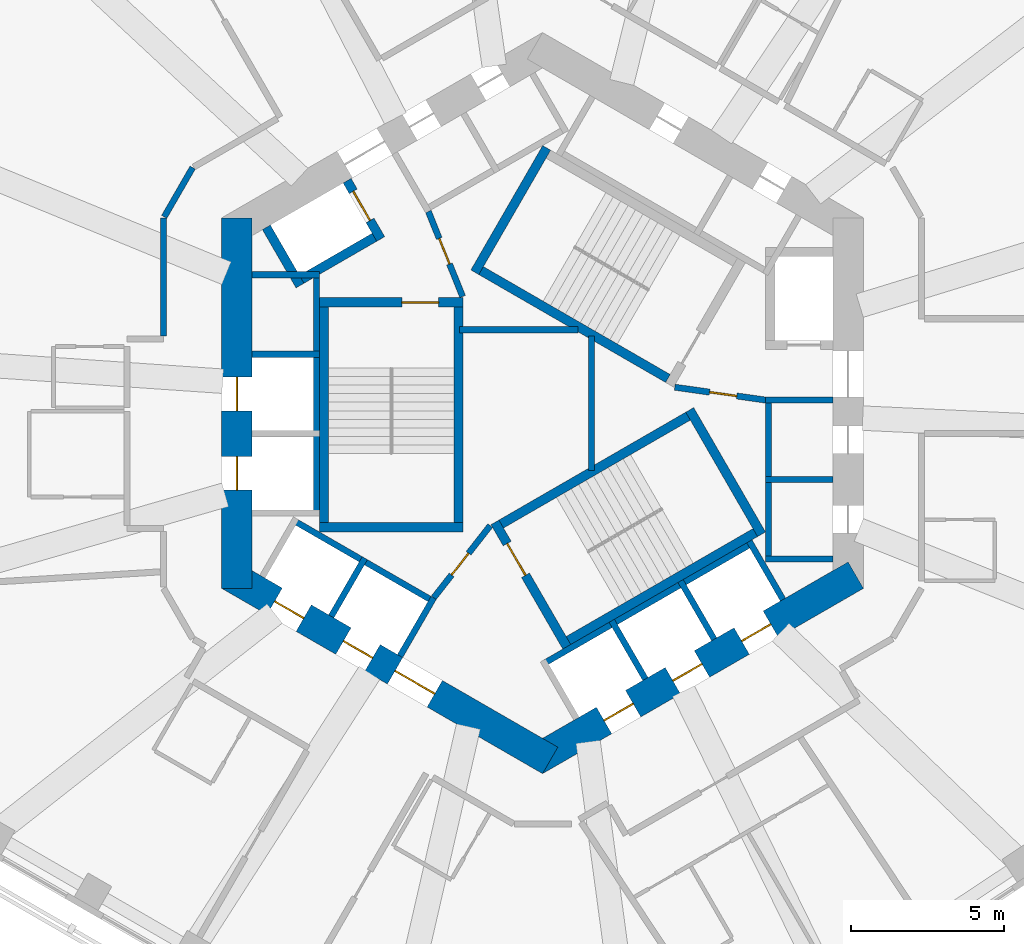
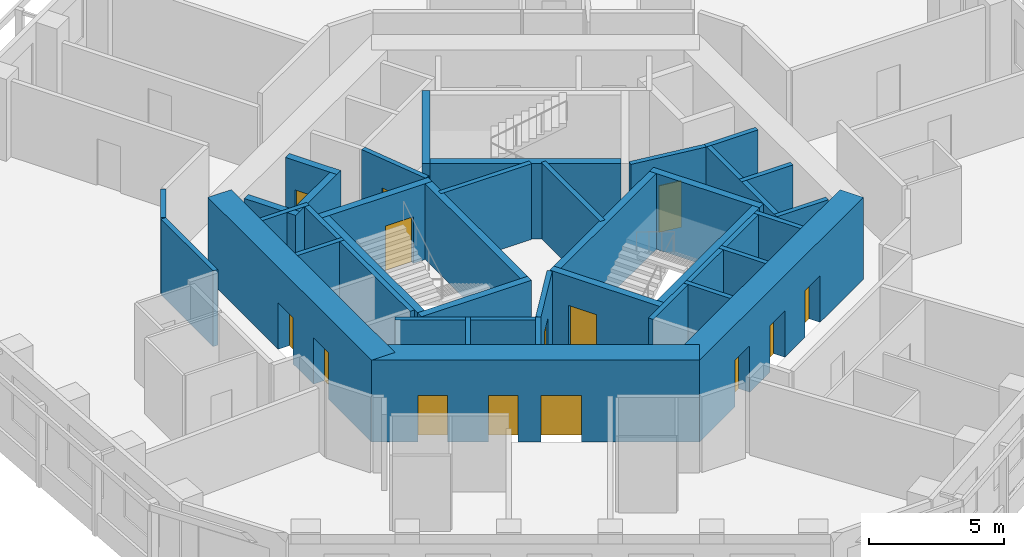
# One storey, part 5 of 11: 37 walls, 14 doors, 14 openings.
"""IFC4 building model written with IfcOpenShell, lengths in metres."""

from ifc_helpers import new_model, si_unit, direction, frame, frame_2d, origin, place, context, subcontext, project, spatial, rectangle, extrude, material, layer, layer_set, type_object, element, fill, save


model = new_model("IFC4")

# Units and contexts
model_context = context("Model", 3, precision=1e-05, world=origin(), true_north=direction((0.0, 1.0)))
body_context = subcontext(model_context, "Body", "Model", "MODEL_VIEW")
ifc_project = project(units=[si_unit("LENGTHUNIT", "METRE"), si_unit("AREAUNIT", "SQUARE_METRE"), si_unit("VOLUMEUNIT", "CUBIC_METRE"), si_unit("PLANEANGLEUNIT", "RADIAN"), si_unit("MASSUNIT", "GRAM", prefix="KILO")], contexts=[model_context])

# Site, building, storey
site_placement = place(None, origin())
site = spatial("IfcSite", under=ifc_project, at=site_placement, CompositionType="ELEMENT")
building_placement = place(site_placement, origin())
building = spatial("IfcBuilding", under=site, at=building_placement, Name="Vanh Sen Convention Tower", CompositionType="ELEMENT")
storey_placement = place(building_placement, frame((0.0, 0.0, 198.39990234375)))
storey = spatial("IfcBuildingStorey", under=building, at=storey_placement, Name="L49", CompositionType="ELEMENT", Elevation=198.39990234375)

# Wall, openings, doors
ifc_material_1 = material(Name="Concrete C80/95", Category="concrete")
ifc_layer_1 = layer(ifc_material_1, 1.0)
ifc_layer_set_1 = layer_set([ifc_layer_1], Name="Concrete C80/95")
wall_type_1 = type_object("IfcWallType", Name="Core outer wall 1000 C80/95", PredefinedType="SHEAR", material=ifc_layer_set_1)
wall_1_placement = place(storey_placement, frame((-10.0, 6.062255859375, 0.0), z_axis=(0.0, 0.0, 1.0), x_axis=(0.0, -1.0, 0.0)))
wall_1 = element("IfcWall", 1, at=wall_1_placement, inside=storey, type_object=wall_type_1, Name="Core wall face W L49", PredefinedType="SHEAR", context=body_context, shape_type="SweptSolid", body=[
    extrude(rectangle(XDim=12.12451171875, YDim=1.0, at=frame_2d((6.062255859375, 0.0))), origin(), (0.0, 0.0, 1.0), 3.7001953125),
])
opening_1_placement = place(wall_1_placement, frame((5.212158203125, 0.0, 0.0)))
opening_1 = element("IfcOpeningElement", 2, at=opening_1_placement, cuts=wall_1, Name="Opening LD-HR1", PredefinedType="OPENING", context=body_context, shape_type="SweptSolid", body=[
    extrude(rectangle(XDim=1.10009765625, YDim=2.10009765625, at=frame_2d((0.550048828125, 1.050048828125))), frame((0.0, 0.510009765625, 0.0), z_axis=(0.0, -1.0, 0.0), x_axis=(1.0, 0.0, 0.0)), (0.0, 0.0, 1.0), 1.02001953125),
])
opening_2_placement = place(wall_1_placement, frame((7.812255859375, 0.0, 0.0)))
opening_2 = element("IfcOpeningElement", 3, at=opening_2_placement, cuts=wall_1, Name="Opening LD-HR2", PredefinedType="OPENING", context=body_context, shape_type="SweptSolid", body=[
    extrude(rectangle(XDim=1.10009765625, YDim=2.10009765625, at=frame_2d((0.550048828125, 1.050048828125))), frame((0.0, 0.510009765625, 0.0), z_axis=(0.0, -1.0, 0.0), x_axis=(1.0, 0.0, 0.0)), (0.0, 0.0, 1.0), 1.02001953125),
])
ifc_material_2 = material(Name="Stainless steel", Category="steel")
door_type_1 = type_object("IfcDoorType", Name="Lift landing door 1100", OperationType="DOUBLE_DOOR_SLIDING", PredefinedType="DOOR", material=ifc_material_2)
door_1_placement = place(opening_1_placement, origin())
door_1 = element("IfcDoor", 4, at=door_1_placement, inside=storey, type_object=door_type_1, Name="Lift HR1 landing door LD-HR1", OperationType="DOUBLE_DOOR_SLIDING", OverallHeight=2.10009765625, OverallWidth=1.10009765625, PredefinedType="DOOR", context=body_context, shape_type="SweptSolid", body=[
    extrude(rectangle(XDim=1.10009765625, YDim=2.10009765625, at=frame_2d((0.550048828125, 1.050048828125))), frame((0.0, 0.02490234375, 0.0), z_axis=(0.0, -1.0, 0.0), x_axis=(1.0, 0.0, 0.0)), (0.0, 0.0, 1.0), 0.050048828125),
])
fill(opening_1, door_1)
door_2_placement = place(opening_2_placement, origin())
door_2 = element("IfcDoor", 5, at=door_2_placement, inside=storey, type_object=door_type_1, Name="Lift HR2 landing door LD-HR2", OperationType="DOUBLE_DOOR_SLIDING", OverallHeight=2.10009765625, OverallWidth=1.10009765625, PredefinedType="DOOR", context=body_context, shape_type="SweptSolid", body=[
    extrude(rectangle(XDim=1.10009765625, YDim=2.10009765625, at=frame_2d((0.550048828125, 1.050048828125))), frame((0.0, 0.02490234375, 0.0), z_axis=(0.0, -1.0, 0.0), x_axis=(1.0, 0.0, 0.0)), (0.0, 0.0, 1.0), 0.050048828125),
])
fill(opening_2, door_2)

wall_2_placement = place(storey_placement, frame((-10.25, -5.629150390625, 0.0), z_axis=(0.0, 0.0, 1.0), x_axis=(0.866022616891, -0.50000482701, 0.0)))
wall_2 = element("IfcWall", 6, at=wall_2_placement, inside=storey, type_object=wall_type_1, Name="Core wall face SW L49", PredefinedType="SHEAR", context=body_context, shape_type="SweptSolid", body=[
    extrude(rectangle(XDim=12.12451171875, YDim=1.0, at=frame_2d((6.062255859375, 0.0))), origin(), (0.0, 0.0, 1.0), 3.7001953125),
])
opening_3_placement = place(wall_2_placement, frame((6.26220703125, 0.0, 0.0)))
opening_3 = element("IfcOpeningElement", 7, at=opening_3_placement, cuts=wall_2, Name="Opening D49003", PredefinedType="OPENING", context=body_context, shape_type="SweptSolid", body=[
    extrude(rectangle(XDim=1.5, YDim=2.10009765625, at=frame_2d((0.75, 1.050048828125))), frame((0.0, 0.510009765625, 0.0), z_axis=(0.0, -1.0, 0.0), x_axis=(1.0, 0.0, 0.0)), (0.0, 0.0, 1.0), 1.02001953125),
])
opening_4_placement = place(wall_2_placement, frame((1.712158203125, 0.0, 0.0)))
opening_4 = element("IfcOpeningElement", 8, at=opening_4_placement, cuts=wall_2, Name="Opening LD-HR3", PredefinedType="OPENING", context=body_context, shape_type="SweptSolid", body=[
    extrude(rectangle(XDim=1.10009765625, YDim=2.10009765625, at=frame_2d((0.550048828125, 1.050048828125))), frame((0.0, 0.510009765625, 0.0), z_axis=(0.0, -1.0, 0.0), x_axis=(1.0, 0.0, 0.0)), (0.0, 0.0, 1.0), 1.02001953125),
])
opening_5_placement = place(wall_2_placement, frame((4.312255859375, 0.0, 0.0)))
opening_5 = element("IfcOpeningElement", 9, at=opening_5_placement, cuts=wall_2, Name="Opening LD-HR4", PredefinedType="OPENING", context=body_context, shape_type="SweptSolid", body=[
    extrude(rectangle(XDim=1.10009765625, YDim=2.10009765625, at=frame_2d((0.550048828125, 1.050048828125))), frame((0.0, 0.510009765625, 0.0), z_axis=(0.0, -1.0, 0.0), x_axis=(1.0, 0.0, 0.0)), (0.0, 0.0, 1.0), 1.02001953125),
])
door_3_placement = place(opening_4_placement, origin())
door_3 = element("IfcDoor", 10, at=door_3_placement, inside=storey, type_object=door_type_1, Name="Lift HR3 landing door LD-HR3", OperationType="DOUBLE_DOOR_SLIDING", OverallHeight=2.10009765625, OverallWidth=1.10009765625, PredefinedType="DOOR", context=body_context, shape_type="SweptSolid", body=[
    extrude(rectangle(XDim=1.10009765625, YDim=2.10009765625, at=frame_2d((0.550048828125, 1.050048828125))), frame((0.0, 0.02490234375, 0.0), z_axis=(0.0, -1.0, 0.0), x_axis=(1.0, 0.0, 0.0)), (0.0, 0.0, 1.0), 0.050048828125),
])
fill(opening_4, door_3)
door_4_placement = place(opening_5_placement, origin())
door_4 = element("IfcDoor", 11, at=door_4_placement, inside=storey, type_object=door_type_1, Name="Lift HR4 landing door LD-HR4", OperationType="DOUBLE_DOOR_SLIDING", OverallHeight=2.10009765625, OverallWidth=1.10009765625, PredefinedType="DOOR", context=body_context, shape_type="SweptSolid", body=[
    extrude(rectangle(XDim=1.10009765625, YDim=2.10009765625, at=frame_2d((0.550048828125, 1.050048828125))), frame((0.0, 0.02490234375, 0.0), z_axis=(0.0, -1.0, 0.0), x_axis=(1.0, 0.0, 0.0)), (0.0, 0.0, 1.0), 0.050048828125),
])
fill(opening_5, door_4)
ifc_material_3 = material(Name="Steel S355", Category="steel")
door_type_2 = type_object("IfcDoorType", Name="Stair lobby door 1500", OperationType="DOUBLE_DOOR_SINGLE_SWING", PredefinedType="DOOR", material=ifc_material_3)
door_5_placement = place(opening_3_placement, origin())
door_5 = element("IfcDoor", 12, at=door_5_placement, inside=storey, type_object=door_type_2, Name="Stair lobby door D49003", OperationType="DOUBLE_DOOR_SINGLE_SWING", OverallHeight=2.10009765625, OverallWidth=1.5, PredefinedType="DOOR", context=body_context, shape_type="SweptSolid", body=[
    extrude(rectangle(XDim=1.5, YDim=2.10009765625, at=frame_2d((0.75, 1.050048828125))), frame((0.0, 0.02490234375, 0.0), z_axis=(0.0, -1.0, 0.0), x_axis=(1.0, 0.0, 0.0)), (0.0, 0.0, 1.0), 0.050048828125),
])
fill(opening_3, door_5)

wall_3_placement = place(storey_placement, frame((-0.25, -11.69140625, 0.0), z_axis=(0.0, 0.0, 1.0), x_axis=(0.866022616891, 0.50000482701, 0.0)))
wall_3 = element("IfcWall", 13, at=wall_3_placement, inside=storey, type_object=wall_type_1, Name="Core wall face SE L49", PredefinedType="SHEAR", context=body_context, shape_type="SweptSolid", body=[
    extrude(rectangle(XDim=12.12451171875, YDim=1.0, at=frame_2d((6.062255859375, 0.0))), origin(), (0.0, 0.0, 1.0), 3.7001953125),
])
opening_6_placement = place(wall_3_placement, frame((2.6123046875, 0.0, 0.0)))
opening_6 = element("IfcOpeningElement", 14, at=opening_6_placement, cuts=wall_3, Name="Opening LD-HR5", PredefinedType="OPENING", context=body_context, shape_type="SweptSolid", body=[
    extrude(rectangle(XDim=1.10009765625, YDim=2.10009765625, at=frame_2d((0.550048828125, 1.050048828125))), frame((0.0, 0.510009765625, 0.0), z_axis=(0.0, -1.0, 0.0), x_axis=(1.0, 0.0, 0.0)), (0.0, 0.0, 1.0), 1.02001953125),
])
opening_7_placement = place(wall_3_placement, frame((5.212158203125, 0.0, 0.0)))
opening_7 = element("IfcOpeningElement", 15, at=opening_7_placement, cuts=wall_3, Name="Opening LD-HR6", PredefinedType="OPENING", context=body_context, shape_type="SweptSolid", body=[
    extrude(rectangle(XDim=1.10009765625, YDim=2.10009765625, at=frame_2d((0.550048828125, 1.050048828125))), frame((0.0, 0.510009765625, 0.0), z_axis=(0.0, -1.0, 0.0), x_axis=(1.0, 0.0, 0.0)), (0.0, 0.0, 1.0), 1.02001953125),
])
opening_8_placement = place(wall_3_placement, frame((7.812255859375, 0.0, 0.0)))
opening_8 = element("IfcOpeningElement", 16, at=opening_8_placement, cuts=wall_3, Name="Opening LD-SV1", PredefinedType="OPENING", context=body_context, shape_type="SweptSolid", body=[
    extrude(rectangle(XDim=1.10009765625, YDim=2.10009765625, at=frame_2d((0.550048828125, 1.050048828125))), frame((0.0, 0.510009765625, 0.0), z_axis=(0.0, -1.0, 0.0), x_axis=(1.0, 0.0, 0.0)), (0.0, 0.0, 1.0), 1.02001953125),
])
door_6_placement = place(opening_6_placement, origin())
door_6 = element("IfcDoor", 17, at=door_6_placement, inside=storey, type_object=door_type_1, Name="Lift HR5 landing door LD-HR5", OperationType="DOUBLE_DOOR_SLIDING", OverallHeight=2.10009765625, OverallWidth=1.10009765625, PredefinedType="DOOR", context=body_context, shape_type="SweptSolid", body=[
    extrude(rectangle(XDim=1.10009765625, YDim=2.10009765625, at=frame_2d((0.550048828125, 1.050048828125))), frame((0.0, 0.02490234375, 0.0), z_axis=(0.0, -1.0, 0.0), x_axis=(1.0, 0.0, 0.0)), (0.0, 0.0, 1.0), 0.050048828125),
])
fill(opening_6, door_6)
door_7_placement = place(opening_7_placement, origin())
door_7 = element("IfcDoor", 18, at=door_7_placement, inside=storey, type_object=door_type_1, Name="Lift HR6 landing door LD-HR6", OperationType="DOUBLE_DOOR_SLIDING", OverallHeight=2.10009765625, OverallWidth=1.10009765625, PredefinedType="DOOR", context=body_context, shape_type="SweptSolid", body=[
    extrude(rectangle(XDim=1.10009765625, YDim=2.10009765625, at=frame_2d((0.550048828125, 1.050048828125))), frame((0.0, 0.02490234375, 0.0), z_axis=(0.0, -1.0, 0.0), x_axis=(1.0, 0.0, 0.0)), (0.0, 0.0, 1.0), 0.050048828125),
])
fill(opening_7, door_7)
door_8_placement = place(opening_8_placement, origin())
door_8 = element("IfcDoor", 19, at=door_8_placement, inside=storey, type_object=door_type_1, Name="Lift SV1 landing door LD-SV1", OperationType="DOUBLE_DOOR_SLIDING", OverallHeight=2.10009765625, OverallWidth=1.10009765625, PredefinedType="DOOR", context=body_context, shape_type="SweptSolid", body=[
    extrude(rectangle(XDim=1.10009765625, YDim=2.10009765625, at=frame_2d((0.550048828125, 1.050048828125))), frame((0.0, 0.02490234375, 0.0), z_axis=(0.0, -1.0, 0.0), x_axis=(1.0, 0.0, 0.0)), (0.0, 0.0, 1.0), 0.050048828125),
])
fill(opening_8, door_8)

# Walls
ifc_material_4 = material(Name="Masonry blockwork", Category="masonry")
ifc_layer_2 = layer(ifc_material_4, 0.199951171875)
ifc_layer_set_2 = layer_set([ifc_layer_2], Name="Masonry blockwork")
wall_type_2 = type_object("IfcWallType", Name="Core partition 200", PredefinedType="PARTITIONING", material=ifc_layer_set_2)
wall_4_placement = place(storey_placement, frame((-2.719970703125, 2.39990234375, 0.0), z_axis=(0.0, 0.0, 1.0), x_axis=(1.0, 0.0, 0.0)))
element("IfcWall", 20, at=wall_4_placement, inside=storey, type_object=wall_type_2, Name="Core partition L49", PredefinedType="PARTITIONING", context=body_context, shape_type="SweptSolid", body=[
    extrude(rectangle(XDim=3.883056640625, YDim=0.199951171875, at=frame_2d((1.94140625, 0.0))), origin(), (0.0, 0.0, 1.0), 3.420166015625),
])
wall_5_placement = place(storey_placement, frame((1.60009765625, -2.198486328125, 0.0), z_axis=(0.0, 0.0, 1.0), x_axis=(0.0, 1.0, 0.0)))
element("IfcWall", 21, at=wall_5_placement, inside=storey, type_object=wall_type_2, Name="Core partition L49", PredefinedType="PARTITIONING", context=body_context, shape_type="SweptSolid", body=[
    extrude(rectangle(XDim=4.39697265625, YDim=0.199951171875, at=frame_2d((2.198486328125, 0.0))), origin(), (0.0, 0.0, 1.0), 3.420166015625),
])
ifc_material_5 = material(Name="Gypsum board on steel studs with mineral wool", Category="steel")
ifc_layer_3 = layer(ifc_material_5, 0.199951171875)
ifc_layer_set_3 = layer_set([ifc_layer_3], Name="Gypsum board on steel studs with mineral wool")
wall_type_3 = type_object("IfcWallType", Name="Corridor partition wall 200", PredefinedType="PARTITIONING", material=ifc_layer_set_3)
wall_6_placement = place(storey_placement, frame((-12.39990234375, 6.062255859375, 0.0), z_axis=(0.0, 0.0, 1.0), x_axis=(0.0, -1.0, 0.0)))
element("IfcWall", 22, at=wall_6_placement, inside=storey, type_object=wall_type_3, Name="Corridor partition wall 200", PredefinedType="PARTITIONING", context=body_context, shape_type="SweptSolid", body=[
    extrude(rectangle(XDim=3.861328125, YDim=0.199951171875, at=frame_2d((1.9306640625, 0.0))), origin(), (0.0, 0.0, 1.0), 3.420166015625),
])
wall_7_placement = place(storey_placement, frame((-11.449951171875, 7.70751953125, 0.0), z_axis=(0.0, 0.0, 1.0), x_axis=(-0.499964847546, -0.866045698112, 0.0)))
element("IfcWall", 23, at=wall_7_placement, inside=storey, type_object=wall_type_3, Name="Corridor partition wall 200", PredefinedType="PARTITIONING", context=body_context, shape_type="SweptSolid", body=[
    extrude(rectangle(XDim=1.860107421875, YDim=0.199951171875, at=frame_2d((0.93017578125, 0.0))), origin(), (0.0, 0.0, 1.0), 3.420166015625),
])

# Wall, opening, door
ifc_material_6 = material(Name="Concrete C60/75", Category="concrete")
ifc_layer_4 = layer(ifc_material_6, 0.300048828125)
ifc_layer_set_4 = layer_set([ifc_layer_4], Name="Concrete C60/75")
wall_type_4 = type_object("IfcWallType", Name="Fire-fighting lift shaft wall 300", PredefinedType="SHEAR", material=ifc_layer_set_4)
wall_8_placement = place(storey_placement, frame((-5.29541015625, 5.3720703125, 0.0), z_axis=(0.0, 0.0, 1.0), x_axis=(-0.500077893725, 0.86598042715, 0.0)))
wall_8 = element("IfcWall", 24, at=wall_8_placement, inside=storey, type_object=wall_type_4, Name="Fire-fighting lift shaft wall L49", PredefinedType="SHEAR", context=body_context, shape_type="SweptSolid", body=[
    extrude(rectangle(XDim=2.199951171875, YDim=0.300048828125, at=frame_2d((1.10009765625, 0.0))), origin(), (0.0, 0.0, 1.0), 3.420166015625),
])
opening_9_placement = place(wall_8_placement, frame((0.699951171875, 0.0, 0.0)))
opening_9 = element("IfcOpeningElement", 25, at=opening_9_placement, cuts=wall_8, Name="Opening LD-FF2", PredefinedType="OPENING", context=body_context, shape_type="SweptSolid", body=[
    extrude(rectangle(XDim=1.10009765625, YDim=2.10009765625, at=frame_2d((0.550048828125, 1.050048828125))), frame((0.0, 0.159912109375, 0.0), z_axis=(0.0, -1.0, 0.0), x_axis=(1.0, 0.0, 0.0)), (0.0, 0.0, 1.0), 0.320068359375),
])
door_type_3 = type_object("IfcDoorType", Name="Fire-fighting lift landing door 1100", OperationType="DOUBLE_DOOR_SLIDING", PredefinedType="DOOR", material=ifc_material_2)
door_9_placement = place(opening_9_placement, origin())
door_9 = element("IfcDoor", 26, at=door_9_placement, inside=storey, type_object=door_type_3, Name="Lift FF2 landing door LD-FF2", OperationType="DOUBLE_DOOR_SLIDING", OverallHeight=2.10009765625, OverallWidth=1.10009765625, PredefinedType="DOOR", context=body_context, shape_type="SweptSolid", body=[
    extrude(rectangle(XDim=1.10009765625, YDim=2.10009765625, at=frame_2d((0.550048828125, 1.050048828125))), frame((0.0, 0.02490234375, 0.0), z_axis=(0.0, -1.0, 0.0), x_axis=(1.0, 0.0, 0.0)), (0.0, 0.0, 1.0), 0.050048828125),
])
fill(opening_9, door_9)

# Walls
wall_9_placement = place(storey_placement, frame((-5.240478515625, 5.576904296875, 0.0), z_axis=(0.0, 0.0, 1.0), x_axis=(-0.866014461049, -0.500018952895, 0.0)))
element("IfcWall", 27, at=wall_9_placement, inside=storey, type_object=wall_type_4, Name="Fire-fighting lift shaft wall L49", PredefinedType="SHEAR", context=body_context, shape_type="SweptSolid", body=[
    extrude(rectangle(XDim=3.349853515625, YDim=0.300048828125, at=frame_2d((1.6748046875, 0.0))), origin(), (0.0, 0.0, 1.0), 3.420166015625),
])
wall_10_placement = place(storey_placement, frame((-7.936767578125, 3.846923828125, 0.0), z_axis=(0.0, 0.0, 1.0), x_axis=(-0.50002983664, 0.866008176907, 0.0)))
element("IfcWall", 28, at=wall_10_placement, inside=storey, type_object=wall_type_4, Name="Fire-fighting lift shaft wall L49", PredefinedType="SHEAR", context=body_context, shape_type="SweptSolid", body=[
    extrude(rectangle(XDim=2.199951171875, YDim=0.300048828125, at=frame_2d((1.10009765625, 0.0))), origin(), (0.0, 0.0, 1.0), 3.420166015625),
])
ifc_material_7 = material(Name="Concrete C40/50", Category="concrete")
ifc_layer_5 = layer(ifc_material_7, 0.199951171875)
ifc_layer_set_5 = layer_set([ifc_layer_5], Name="Concrete C40/50")
wall_type_5 = type_object("IfcWallType", Name="Lift shaft wall 200", PredefinedType="PARTITIONING", material=ifc_layer_set_5)
wall_11_placement = place(storey_placement, frame((7.39990234375, -5.199951171875, 0.0), z_axis=(0.0, 0.0, 1.0), x_axis=(0.0, 1.0, 0.0)))
element("IfcWall", 29, at=wall_11_placement, inside=storey, type_object=wall_type_5, Name="Lift shaft wall L49", PredefinedType="PARTITIONING", context=body_context, shape_type="SweptSolid", body=[
    extrude(rectangle(XDim=5.39990234375, YDim=0.199951171875, at=frame_2d((2.699951171875, 0.0))), origin(), (0.0, 0.0, 1.0), 3.420166015625),
])
for number, where, z_axis, x_axis, name in (
    (30, (7.300048828125, -5.10009765625, 0.0), (0.0, 0.0, 1.0), (1.0, 0.0, 0.0), "Lift shaft wall L49"),
    (31, (7.300048828125, -2.5, 0.0), (0.0, 0.0, 1.0), (1.0, 0.0, 0.0), "Lift shaft wall L49"),
    (32, (7.300048828125, 0.10009765625, 0.0), (0.0, 0.0, 1.0), (1.0, 0.0, 0.0), "Lift shaft wall L49"),
):
    element("IfcWall", number, at=place(storey_placement, frame(where, z_axis=z_axis, x_axis=x_axis)), inside=storey, type_object=wall_type_5, Name=name, PredefinedType="PARTITIONING", context=body_context, shape_type="SweptSolid", body=[
        extrude(rectangle(XDim=2.199951171875, YDim=0.199951171875, at=frame_2d((1.10009765625, 0.0))), origin(), (0.0, 0.0, 1.0), 3.420166015625),
    ])
wall_12_placement = place(storey_placement, frame((-7.39990234375, 4.300048828125, 0.0), z_axis=(0.0, 0.0, 1.0), x_axis=(0.0, -1.0, 0.0)))
element("IfcWall", 33, at=wall_12_placement, inside=storey, type_object=wall_type_5, Name="Lift shaft wall L49", PredefinedType="PARTITIONING", context=body_context, shape_type="SweptSolid", body=[
    extrude(rectangle(XDim=8.0, YDim=0.199951171875, at=frame_2d((4.0, 0.0))), origin(), (0.0, 0.0, 1.0), 3.420166015625),
])
for number, where, z_axis, x_axis, name in (
    (34, (-7.300048828125, 4.199951171875, 0.0), (0.0, 0.0, 1.0), (-1.0, 0.0, 0.0), "Lift shaft wall L49"),
    (35, (-7.300048828125, 1.60009765625, 0.0), (0.0, 0.0, 1.0), (-1.0, 0.0, 0.0), "Lift shaft wall L49"),
):
    element("IfcWall", number, at=place(storey_placement, frame(where, z_axis=z_axis, x_axis=x_axis)), inside=storey, type_object=wall_type_5, Name=name, PredefinedType="PARTITIONING", context=body_context, shape_type="SweptSolid", body=[
        extrude(rectangle(XDim=2.199951171875, YDim=0.199951171875, at=frame_2d((1.10009765625, 0.0))), origin(), (0.0, 0.0, 1.0), 3.420166015625),
    ])
wall_13_placement = place(storey_placement, frame((-8.203369140625, -3.80859375, 0.0), z_axis=(0.0, 0.0, 1.0), x_axis=(0.866028230842, -0.499995103361, 0.0)))
element("IfcWall", 36, at=wall_13_placement, inside=storey, type_object=wall_type_5, Name="Lift shaft wall L49", PredefinedType="PARTITIONING", context=body_context, shape_type="SweptSolid", body=[
    extrude(rectangle(XDim=5.39990234375, YDim=0.199951171875, at=frame_2d((2.699951171875, 0.0))), origin(), (0.0, 0.0, 1.0), 3.420166015625),
])
wall_14_placement = place(storey_placement, frame((-5.815185546875, -5.072021484375, 0.0), z_axis=(0.0, 0.0, 1.0), x_axis=(-0.499946605688, -0.86605622881, 0.0)))
element("IfcWall", 37, at=wall_14_placement, inside=storey, type_object=wall_type_5, Name="Lift shaft wall L49", PredefinedType="PARTITIONING", context=body_context, shape_type="SweptSolid", body=[
    extrude(rectangle(XDim=2.199951171875, YDim=0.199951171875, at=frame_2d((1.10009765625, 0.0))), origin(), (0.0, 0.0, 1.0), 3.420166015625),
])
wall_15_placement = place(storey_placement, frame((-3.5634765625, -6.3720703125, 0.0), z_axis=(0.0, 0.0, 1.0), x_axis=(-0.499994660107, -0.866028486751, 0.0)))
element("IfcWall", 38, at=wall_15_placement, inside=storey, type_object=wall_type_5, Name="Lift shaft wall L49", PredefinedType="PARTITIONING", context=body_context, shape_type="SweptSolid", body=[
    extrude(rectangle(XDim=2.19970703125, YDim=0.199951171875, at=frame_2d((1.099853515625, 0.0))), origin(), (0.0, 0.0, 1.0), 3.420166015625),
])
wall_16_placement = place(storey_placement, frame((-0.02392578125, -8.55859375, 0.0), z_axis=(0.0, 0.0, 1.0), x_axis=(0.866026010844, 0.49999894854, 0.0)))
element("IfcWall", 39, at=wall_16_placement, inside=storey, type_object=wall_type_5, Name="Lift shaft wall L49", PredefinedType="PARTITIONING", context=body_context, shape_type="SweptSolid", body=[
    extrude(rectangle(XDim=8.0, YDim=0.199951171875, at=frame_2d((4.0, 0.0))), origin(), (0.0, 0.0, 1.0), 3.420166015625),
])
for number, where, z_axis, x_axis, name in (
    (40, (2.264404296875, -7.1220703125, 0.0), (0.0, 0.0, 1.0), (0.500077893725, -0.86598042715, 0.0), "Lift shaft wall L49"),
    (41, (4.51611328125, -5.822021484375, 0.0), (0.0, 0.0, 1.0), (0.499946605688, -0.86605622881, 0.0), "Lift shaft wall L49"),
    (42, (6.767578125, -4.52197265625, 0.0), (0.0, 0.0, 1.0), (0.50002983664, -0.866008176907, 0.0), "Lift shaft wall L49"),
):
    element("IfcWall", number, at=place(storey_placement, frame(where, z_axis=z_axis, x_axis=x_axis)), inside=storey, type_object=wall_type_5, Name=name, PredefinedType="PARTITIONING", context=body_context, shape_type="SweptSolid", body=[
        extrude(rectangle(XDim=2.199951171875, YDim=0.199951171875, at=frame_2d((1.10009765625, 0.0))), origin(), (0.0, 0.0, 1.0), 3.420166015625),
    ])

# Wall, opening, door
ifc_layer_6 = layer(ifc_material_7, 0.199951171875)
ifc_layer_set_6 = layer_set([ifc_layer_6], Name="Concrete C40/50")
wall_type_6 = type_object("IfcWallType", Name="Stair lobby wall 200", PredefinedType="PARTITIONING", material=ifc_layer_set_6)
wall_17_placement = place(storey_placement, frame((4.327392578125, 0.52099609375, 0.0), z_axis=(0.0, 0.0, 1.0), x_axis=(0.990124376366, -0.14019172346, 0.0)))
wall_17 = element("IfcWall", 43, at=wall_17_placement, inside=storey, type_object=wall_type_6, Name="Stair lobby wall L49", PredefinedType="PARTITIONING", context=body_context, shape_type="SweptSolid", body=[
    extrude(rectangle(XDim=3.002197265625, YDim=0.199951171875, at=frame_2d((1.5009765625, 0.0))), origin(), (0.0, 0.0, 1.0), 3.420166015625),
])
opening_10_placement = place(wall_17_placement, frame((1.14990234375, 0.0, 0.0)))
opening_10 = element("IfcOpeningElement", 44, at=opening_10_placement, cuts=wall_17, Name="Opening D49007", PredefinedType="OPENING", context=body_context, shape_type="SweptSolid", body=[
    extrude(rectangle(XDim=0.89990234375, YDim=2.10009765625, at=frame_2d((0.449951171875, 1.050048828125))), frame((0.0, 0.10986328125, 0.0), z_axis=(0.0, -1.0, 0.0), x_axis=(1.0, 0.0, 0.0)), (0.0, 0.0, 1.0), 0.219970703125),
])
door_type_4 = type_object("IfcDoorType", Name="Plant door 900", OperationType="SINGLE_SWING_LEFT", PredefinedType="DOOR", material=ifc_material_3)
door_10_placement = place(opening_10_placement, origin())
door_10 = element("IfcDoor", 45, at=door_10_placement, inside=storey, type_object=door_type_4, Name="Plant door D49007", OperationType="SINGLE_SWING_LEFT", OverallHeight=2.10009765625, OverallWidth=0.89990234375, PredefinedType="DOOR", context=body_context, shape_type="SweptSolid", body=[
    extrude(rectangle(XDim=0.89990234375, YDim=2.10009765625, at=frame_2d((0.449951171875, 1.050048828125))), frame((0.0, 0.02490234375, 0.0), z_axis=(0.0, -1.0, 0.0), x_axis=(1.0, 0.0, 0.0)), (0.0, 0.0, 1.0), 0.050048828125),
])
fill(opening_10, door_10)

wall_18_placement = place(storey_placement, frame((-2.614990234375, 3.487060546875, 0.0), z_axis=(0.0, 0.0, 1.0), x_axis=(-0.373576831041, 0.92759924068, 0.0)))
wall_18 = element("IfcWall", 46, at=wall_18_placement, inside=storey, type_object=wall_type_6, Name="Stair lobby wall L49", PredefinedType="PARTITIONING", context=body_context, shape_type="SweptSolid", body=[
    extrude(rectangle(XDim=3.002197265625, YDim=0.199951171875, at=frame_2d((1.5009765625, 0.0))), origin(), (0.0, 0.0, 1.0), 3.420166015625),
])
opening_11_placement = place(wall_18_placement, frame((1.14990234375, 0.0, 0.0)))
opening_11 = element("IfcOpeningElement", 47, at=opening_11_placement, cuts=wall_18, Name="Opening D49008", PredefinedType="OPENING", context=body_context, shape_type="SweptSolid", body=[
    extrude(rectangle(XDim=0.89990234375, YDim=2.10009765625, at=frame_2d((0.449951171875, 1.050048828125))), frame((0.0, 0.10986328125, 0.0), z_axis=(0.0, -1.0, 0.0), x_axis=(1.0, 0.0, 0.0)), (0.0, 0.0, 1.0), 0.219970703125),
])
door_11_placement = place(opening_11_placement, origin())
door_11 = element("IfcDoor", 48, at=door_11_placement, inside=storey, type_object=door_type_4, Name="Plant door D49008", OperationType="SINGLE_SWING_LEFT", OverallHeight=2.10009765625, OverallWidth=0.89990234375, PredefinedType="DOOR", context=body_context, shape_type="SweptSolid", body=[
    extrude(rectangle(XDim=0.89990234375, YDim=2.10009765625, at=frame_2d((0.449951171875, 1.050048828125))), frame((0.0, 0.02490234375, 0.0), z_axis=(0.0, -1.0, 0.0), x_axis=(1.0, 0.0, 0.0)), (0.0, 0.0, 1.0), 0.050048828125),
])
fill(opening_11, door_11)

wall_19_placement = place(storey_placement, frame((-1.71240234375, -4.00830078125, 0.0), z_axis=(0.0, 0.0, 1.0), x_axis=(-0.616549420702, -0.787316208287, 0.0)))
wall_19 = element("IfcWall", 49, at=wall_19_placement, inside=storey, type_object=wall_type_6, Name="Stair lobby wall L49", PredefinedType="PARTITIONING", context=body_context, shape_type="SweptSolid", body=[
    extrude(rectangle(XDim=3.002197265625, YDim=0.199951171875, at=frame_2d((1.5009765625, 0.0))), origin(), (0.0, 0.0, 1.0), 3.420166015625),
])
opening_12_placement = place(wall_19_placement, frame((1.14990234375, 0.0, 0.0)))
opening_12 = element("IfcOpeningElement", 50, at=opening_12_placement, cuts=wall_19, Name="Opening D49009", PredefinedType="OPENING", context=body_context, shape_type="SweptSolid", body=[
    extrude(rectangle(XDim=0.89990234375, YDim=2.10009765625, at=frame_2d((0.449951171875, 1.050048828125))), frame((0.0, 0.10986328125, 0.0), z_axis=(0.0, -1.0, 0.0), x_axis=(1.0, 0.0, 0.0)), (0.0, 0.0, 1.0), 0.219970703125),
])
door_12_placement = place(opening_12_placement, origin())
door_12 = element("IfcDoor", 51, at=door_12_placement, inside=storey, type_object=door_type_4, Name="Plant door D49009", OperationType="SINGLE_SWING_LEFT", OverallHeight=2.10009765625, OverallWidth=0.89990234375, PredefinedType="DOOR", context=body_context, shape_type="SweptSolid", body=[
    extrude(rectangle(XDim=0.89990234375, YDim=2.10009765625, at=frame_2d((0.449951171875, 1.050048828125))), frame((0.0, 0.02490234375, 0.0), z_axis=(0.0, -1.0, 0.0), x_axis=(1.0, 0.0, 0.0)), (0.0, 0.0, 1.0), 0.050048828125),
])
fill(opening_12, door_12)

# Walls
ifc_layer_7 = layer(ifc_material_6, 0.300048828125)
ifc_layer_set_7 = layer_set([ifc_layer_7], Name="Concrete C60/75")
wall_type_7 = type_object("IfcWallType", Name="Stair wall 300", PredefinedType="SHEAR", material=ifc_layer_set_7)
wall_20_placement = place(storey_placement, frame((-2.216064453125, 4.28173828125, 0.0), z_axis=(0.0, 0.0, 1.0), x_axis=(0.499977259774, 0.866038532462, 0.0)))
element("IfcWall", 52, at=wall_20_placement, inside=storey, type_object=wall_type_7, Name="Stair wall L49", PredefinedType="SHEAR", context=body_context, shape_type="SweptSolid", body=[
    extrude(rectangle(XDim=4.699951171875, YDim=0.300048828125, at=frame_2d((2.35009765625, 0.0))), origin(), (0.0, 0.0, 1.0), 3.420166015625),
])
wall_21_placement = place(storey_placement, frame((4.10302734375, 0.806640625, 0.0), z_axis=(0.0, 0.0, 1.0), x_axis=(-0.866027801685, 0.499995846692, 0.0)))
element("IfcWall", 53, at=wall_21_placement, inside=storey, type_object=wall_type_7, Name="Stair wall L49", PredefinedType="SHEAR", context=body_context, shape_type="SweptSolid", body=[
    extrude(rectangle(XDim=7.06005859375, YDim=0.300048828125, at=frame_2d((3.530029296875, 0.0))), origin(), (0.0, 0.0, 1.0), 3.420166015625),
])

# Wall, opening, door
wall_22_placement = place(storey_placement, frame((-2.60009765625, 3.300048828125, 0.0), z_axis=(0.0, 0.0, 1.0), x_axis=(-1.0, 0.0, 0.0)))
wall_22 = element("IfcWall", 54, at=wall_22_placement, inside=storey, type_object=wall_type_7, Name="Stair wall L49", PredefinedType="SHEAR", context=body_context, shape_type="SweptSolid", body=[
    extrude(rectangle(XDim=4.699951171875, YDim=0.300048828125, at=frame_2d((2.35009765625, 0.0))), origin(), (0.0, 0.0, 1.0), 3.420166015625),
])
opening_13_placement = place(wall_22_placement, frame((0.800048828125, 0.0, 0.0)))
opening_13 = element("IfcOpeningElement", 55, at=opening_13_placement, cuts=wall_22, Name="Opening D49005", PredefinedType="OPENING", context=body_context, shape_type="SweptSolid", body=[
    extrude(rectangle(XDim=1.199951171875, YDim=2.10009765625, at=frame_2d((0.60009765625, 1.050048828125))), frame((0.0, 0.159912109375, 0.0), z_axis=(0.0, -1.0, 0.0), x_axis=(1.0, 0.0, 0.0)), (0.0, 0.0, 1.0), 0.320068359375),
])
door_type_5 = type_object("IfcDoorType", Name="Stair door 1200", OperationType="SINGLE_SWING_RIGHT", PredefinedType="DOOR", material=ifc_material_3)
door_13_placement = place(opening_13_placement, origin())
door_13 = element("IfcDoor", 56, at=door_13_placement, inside=storey, type_object=door_type_5, Name="Stair ST2 door D49005", OperationType="SINGLE_SWING_RIGHT", OverallHeight=2.10009765625, OverallWidth=1.199951171875, PredefinedType="DOOR", context=body_context, shape_type="SweptSolid", body=[
    extrude(rectangle(XDim=1.199951171875, YDim=2.10009765625, at=frame_2d((0.60009765625, 1.050048828125))), frame((0.0, 0.02490234375, 0.0), z_axis=(0.0, -1.0, 0.0), x_axis=(1.0, 0.0, 0.0)), (0.0, 0.0, 1.0), 0.050048828125),
])
fill(opening_13, door_13)

# Walls
wall_23_placement = place(storey_placement, frame((-2.60009765625, -4.06005859375, 0.0), z_axis=(0.0, 0.0, 1.0), x_axis=(-1.0, 0.0, 0.0)))
element("IfcWall", 57, at=wall_23_placement, inside=storey, type_object=wall_type_7, Name="Stair wall L49", PredefinedType="SHEAR", context=body_context, shape_type="SweptSolid", body=[
    extrude(rectangle(XDim=4.699951171875, YDim=0.300048828125, at=frame_2d((2.35009765625, 0.0))), origin(), (0.0, 0.0, 1.0), 3.420166015625),
])
for number, where, z_axis, x_axis, name in (
    (58, (-2.75, 3.14990234375, 0.0), (0.0, 0.0, 1.0), (0.0, -1.0, 0.0), "Stair wall L49"),
    (59, (-7.14990234375, 3.14990234375, 0.0), (0.0, 0.0, 1.0), (0.0, -1.0, 0.0), "Stair wall L49"),
):
    element("IfcWall", number, at=place(storey_placement, frame(where, z_axis=z_axis, x_axis=x_axis)), inside=storey, type_object=wall_type_7, Name=name, PredefinedType="SHEAR", context=body_context, shape_type="SweptSolid", body=[
        extrude(rectangle(XDim=7.059814453125, YDim=0.300048828125, at=frame_2d((3.52978515625, 0.0))), origin(), (0.0, 0.0, 1.0), 3.420166015625),
    ])

# Wall, opening, door
wall_24_placement = place(storey_placement, frame((-1.557861328125, -3.901611328125, 0.0), z_axis=(0.0, 0.0, 1.0), x_axis=(0.499977259774, -0.866038532462, 0.0)))
wall_24 = element("IfcWall", 60, at=wall_24_placement, inside=storey, type_object=wall_type_7, Name="Stair wall L49", PredefinedType="SHEAR", context=body_context, shape_type="SweptSolid", body=[
    extrude(rectangle(XDim=4.699951171875, YDim=0.300048828125, at=frame_2d((2.35009765625, 0.0))), origin(), (0.0, 0.0, 1.0), 3.420166015625),
])
opening_14_placement = place(wall_24_placement, frame((0.800048828125, 0.0, 0.0)))
opening_14 = element("IfcOpeningElement", 61, at=opening_14_placement, cuts=wall_24, Name="Opening D49006", PredefinedType="OPENING", context=body_context, shape_type="SweptSolid", body=[
    extrude(rectangle(XDim=1.199951171875, YDim=2.10009765625, at=frame_2d((0.60009765625, 1.050048828125))), frame((0.0, 0.159912109375, 0.0), z_axis=(0.0, -1.0, 0.0), x_axis=(1.0, 0.0, 0.0)), (0.0, 0.0, 1.0), 0.320068359375),
])
door_14_placement = place(opening_14_placement, origin())
door_14 = element("IfcDoor", 62, at=door_14_placement, inside=storey, type_object=door_type_5, Name="Stair ST3 door D49006", OperationType="SINGLE_SWING_RIGHT", OverallHeight=2.10009765625, OverallWidth=1.199951171875, PredefinedType="DOOR", context=body_context, shape_type="SweptSolid", body=[
    extrude(rectangle(XDim=1.199951171875, YDim=2.10009765625, at=frame_2d((0.60009765625, 1.050048828125))), frame((0.0, 0.02490234375, 0.0), z_axis=(0.0, -1.0, 0.0), x_axis=(1.0, 0.0, 0.0)), (0.0, 0.0, 1.0), 0.050048828125),
])
fill(opening_14, door_14)

# Walls
wall_25_placement = place(storey_placement, frame((4.816162109375, -0.2216796875, 0.0), z_axis=(0.0, 0.0, 1.0), x_axis=(0.499977259774, -0.866038532462, 0.0)))
element("IfcWall", 63, at=wall_25_placement, inside=storey, type_object=wall_type_7, Name="Stair wall L49", PredefinedType="SHEAR", context=body_context, shape_type="SweptSolid", body=[
    extrude(rectangle(XDim=4.699951171875, YDim=0.300048828125, at=frame_2d((2.35009765625, 0.0))), origin(), (0.0, 0.0, 1.0), 3.420166015625),
])
for number, where, z_axis, x_axis, name in (
    (64, (-1.35302734375, -3.95654296875, 0.0), (0.0, 0.0, 1.0), (0.866027801685, 0.499995846692, 0.0), "Stair wall L49"),
    (65, (0.846923828125, -7.76708984375, 0.0), (0.0, 0.0, 1.0), (0.866027801685, 0.499995846692, 0.0), "Stair wall L49"),
):
    element("IfcWall", number, at=place(storey_placement, frame(where, z_axis=z_axis, x_axis=x_axis)), inside=storey, type_object=wall_type_7, Name=name, PredefinedType="SHEAR", context=body_context, shape_type="SweptSolid", body=[
        extrude(rectangle(XDim=7.06005859375, YDim=0.300048828125, at=frame_2d((3.530029296875, 0.0))), origin(), (0.0, 0.0, 1.0), 3.420166015625),
    ])

save(model, "model.ifc")
